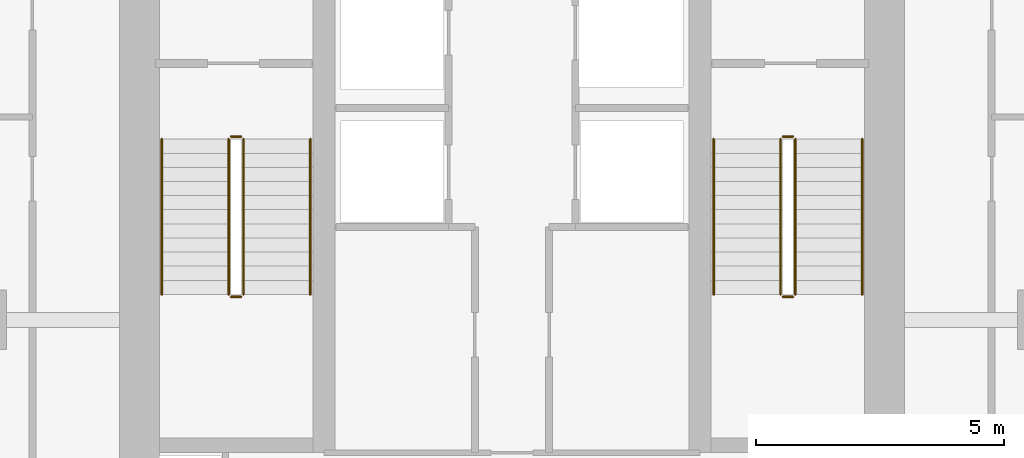
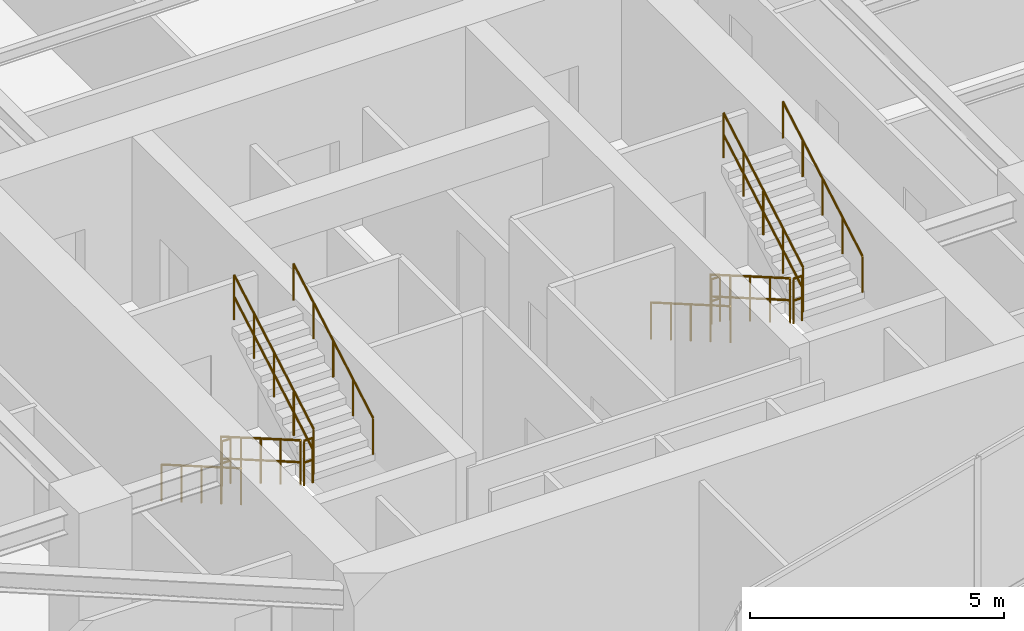
# One storey, part 20 of 21: 12 railings.
"""IFC4 building model written with IfcOpenShell, lengths in metres."""

from ifc_helpers import new_model, si_unit, direction, frame, origin, origin_2d, place, context, subcontext, project, spatial, circle, extrude, material, layer, layer_set, type_object, element, save


model = new_model("IFC4")

# Units and contexts
model_context = context("Model", 3, precision=1e-05, world=origin(), true_north=direction((0.0, 1.0)))
body_context = subcontext(model_context, "Body", "Model", "MODEL_VIEW")
ifc_project = project(units=[si_unit("LENGTHUNIT", "METRE"), si_unit("AREAUNIT", "SQUARE_METRE"), si_unit("VOLUMEUNIT", "CUBIC_METRE"), si_unit("PLANEANGLEUNIT", "RADIAN"), si_unit("MASSUNIT", "GRAM", prefix="KILO")], contexts=[model_context])

# Site, building, storey
site_placement = place(None, origin())
site = spatial("IfcSite", under=ifc_project, at=site_placement, CompositionType="ELEMENT")
building_placement = place(site_placement, origin())
building = spatial("IfcBuilding", under=site, at=building_placement, Name="Krantzveldt Concourse Tower", CompositionType="ELEMENT")
storey_placement = place(building_placement, frame((0.0, 0.0, 347.449951171875)))
storey = spatial("IfcBuildingStorey", under=building, at=storey_placement, Name="L85", CompositionType="ELEMENT", Elevation=347.449951171875)

# Railings
ifc_material = material(Name="Stainless steel 316L", Category="steel")
ifc_layer_1 = layer(ifc_material, 0.06005859375, Name="Stainless steel 316L", Category="steel")
ifc_layer_set_1 = layer_set([ifc_layer_1], Name="Stainless steel 316L (RL-GUARD-1120)")
railing_type_1 = type_object("IfcRailingType", Name="RL-GUARD-1120", PredefinedType="GUARDRAIL", material=ifc_layer_set_1)
railing_1_placement = place(storey_placement, frame((30.280029296875, 19.550048828125, 0.16455078125)))
element("IfcRailing", 1, at=railing_1_placement, inside=storey, type_object=railing_type_1, Name="L85 ST-1 stair guard 1", PredefinedType="GUARDRAIL", context=body_context, shape_type="SweptSolid", body=[
    extrude(circle(Radius=0.02392578125, at=origin_2d()), frame((0.0, 0.0, 1.076171875), z_axis=(0.0, -0.865959834175, 0.500113552702), x_axis=(1.0, 0.0, 0.0)), (0.0, 0.0, 1.0), 3.620361328125),
    extrude(circle(Radius=0.02392578125, at=origin_2d()), frame((0.0, 0.0, 0.550048828125), z_axis=(0.0, -0.865959834175, 0.500113552702), x_axis=(1.0, 0.0, 0.0)), (0.0, 0.0, 1.0), 3.620361328125),
    extrude(circle(Radius=0.02099609375, at=origin_2d()), origin(), (0.0, 0.0, 1.0), 1.052001953125),
    extrude(circle(Radius=0.02099609375, at=origin_2d()), frame((0.0, -0.78369140625, 0.45263671875)), (0.0, 0.0, 1.0), 1.052001953125),
    extrude(circle(Radius=0.02099609375, at=origin_2d()), frame((0.0, -1.5673828125, 0.9052734375)), (0.0, 0.0, 1.0), 1.052001953125),
    extrude(circle(Radius=0.02099609375, at=origin_2d()), frame((0.0, -2.351318359375, 1.35791015625)), (0.0, 0.0, 1.0), 1.052001953125),
    extrude(circle(Radius=0.02099609375, at=origin_2d()), frame((0.0, -3.135009765625, 1.810546875)), (0.0, 0.0, 1.0), 1.052001953125),
])
railing_2_placement = place(storey_placement, frame((30.330078125, 16.364990234375, 1.97509765625)))
element("IfcRailing", 2, at=railing_2_placement, inside=storey, type_object=railing_type_1, Name="L85 ST-1 stair guard 2", PredefinedType="GUARDRAIL", context=body_context, shape_type="SweptSolid", body=[
    extrude(circle(Radius=0.02392578125, at=origin_2d()), frame((0.0, 0.0, 1.076171875), z_axis=(1.0, 0.0, 0.0), x_axis=(0.0, 1.0, 0.0)), (0.0, 0.0, 1.0), 0.199951171875),
    extrude(circle(Radius=0.02392578125, at=origin_2d()), frame((0.0, 0.0, 0.550048828125), z_axis=(1.0, 0.0, 0.0), x_axis=(0.0, 1.0, 0.0)), (0.0, 0.0, 1.0), 0.199951171875),
    extrude(circle(Radius=0.02099609375, at=origin_2d()), origin(), (0.0, 0.0, 1.0), 1.052001953125),
    extrude(circle(Radius=0.02099609375, at=origin_2d()), frame((0.199951171875, 0.0, 0.0)), (0.0, 0.0, 1.0), 1.052001953125),
])
railing_3_placement = place(storey_placement, frame((30.580078125, 16.4150390625, 2.1396484375)))
element("IfcRailing", 3, at=railing_3_placement, inside=storey, type_object=railing_type_1, Name="L85 ST-1 stair guard 3", PredefinedType="GUARDRAIL", context=body_context, shape_type="SweptSolid", body=[
    extrude(circle(Radius=0.02392578125, at=origin_2d()), frame((0.0, 0.0, 1.076171875), z_axis=(0.0, 0.865989039225, 0.500062979975), x_axis=(-1.0, 0.0, 0.0)), (0.0, 0.0, 1.0), 3.6201171875),
    extrude(circle(Radius=0.02392578125, at=origin_2d()), frame((0.0, 0.0, 0.550048828125), z_axis=(0.0, 0.865989039225, 0.500062979975), x_axis=(-1.0, 0.0, 0.0)), (0.0, 0.0, 1.0), 3.6201171875),
    extrude(circle(Radius=0.02099609375, at=origin_2d()), origin(), (0.0, 0.0, 1.0), 1.052001953125),
    extrude(circle(Radius=0.02099609375, at=origin_2d()), frame((0.0, 0.78369140625, 0.45263671875)), (0.0, 0.0, 1.0), 1.052001953125),
    extrude(circle(Radius=0.02099609375, at=origin_2d()), frame((0.0, 1.5673828125, 0.9052734375)), (0.0, 0.0, 1.0), 1.052001953125),
    extrude(circle(Radius=0.02099609375, at=origin_2d()), frame((0.0, 2.351318359375, 1.357666015625)), (0.0, 0.0, 1.0), 1.052001953125),
    extrude(circle(Radius=0.02099609375, at=origin_2d()), frame((0.0, 3.135009765625, 1.810302734375)), (0.0, 0.0, 1.0), 1.052001953125),
])
railing_4_placement = place(storey_placement, frame((30.330078125, 19.60009765625, 0.0)))
element("IfcRailing", 4, at=railing_4_placement, inside=storey, type_object=railing_type_1, Name="L85 ST-1 stair guard 4", PredefinedType="GUARDRAIL", context=body_context, shape_type="SweptSolid", body=[
    extrude(circle(Radius=0.02392578125, at=origin_2d()), frame((0.0, 0.0, 1.076171875), z_axis=(1.0, 0.0, 0.0), x_axis=(0.0, 1.0, 0.0)), (0.0, 0.0, 1.0), 0.199951171875),
    extrude(circle(Radius=0.02392578125, at=origin_2d()), frame((0.0, 0.0, 0.550048828125), z_axis=(1.0, 0.0, 0.0), x_axis=(0.0, 1.0, 0.0)), (0.0, 0.0, 1.0), 0.199951171875),
    extrude(circle(Radius=0.02099609375, at=origin_2d()), origin(), (0.0, 0.0, 1.0), 1.052001953125),
    extrude(circle(Radius=0.02099609375, at=origin_2d()), frame((0.199951171875, 0.0, 0.0)), (0.0, 0.0, 1.0), 1.052001953125),
])
railing_5_placement = place(storey_placement, frame((41.419921875, 19.550048828125, 0.16455078125)))
element("IfcRailing", 5, at=railing_5_placement, inside=storey, type_object=railing_type_1, Name="L85 ST-2 stair guard 1", PredefinedType="GUARDRAIL", context=body_context, shape_type="SweptSolid", body=[
    extrude(circle(Radius=0.02392578125, at=origin_2d()), frame((0.0, 0.0, 1.076171875), z_axis=(0.0, -0.865959834175, 0.500113552702), x_axis=(1.0, 0.0, 0.0)), (0.0, 0.0, 1.0), 3.620361328125),
    extrude(circle(Radius=0.02392578125, at=origin_2d()), frame((0.0, 0.0, 0.550048828125), z_axis=(0.0, -0.865959834175, 0.500113552702), x_axis=(1.0, 0.0, 0.0)), (0.0, 0.0, 1.0), 3.620361328125),
    extrude(circle(Radius=0.02099609375, at=origin_2d()), origin(), (0.0, 0.0, 1.0), 1.052001953125),
    extrude(circle(Radius=0.02099609375, at=origin_2d()), frame((0.0, -0.78369140625, 0.45263671875)), (0.0, 0.0, 1.0), 1.052001953125),
    extrude(circle(Radius=0.02099609375, at=origin_2d()), frame((0.0, -1.5673828125, 0.9052734375)), (0.0, 0.0, 1.0), 1.052001953125),
    extrude(circle(Radius=0.02099609375, at=origin_2d()), frame((0.0, -2.351318359375, 1.35791015625)), (0.0, 0.0, 1.0), 1.052001953125),
    extrude(circle(Radius=0.02099609375, at=origin_2d()), frame((0.0, -3.135009765625, 1.810546875)), (0.0, 0.0, 1.0), 1.052001953125),
])
railing_6_placement = place(storey_placement, frame((41.469970703125, 16.364990234375, 1.97509765625)))
element("IfcRailing", 6, at=railing_6_placement, inside=storey, type_object=railing_type_1, Name="L85 ST-2 stair guard 2", PredefinedType="GUARDRAIL", context=body_context, shape_type="SweptSolid", body=[
    extrude(circle(Radius=0.02392578125, at=origin_2d()), frame((0.0, 0.0, 1.076171875), z_axis=(1.0, 0.0, 0.0), x_axis=(0.0, 1.0, 0.0)), (0.0, 0.0, 1.0), 0.199951171875),
    extrude(circle(Radius=0.02392578125, at=origin_2d()), frame((0.0, 0.0, 0.550048828125), z_axis=(1.0, 0.0, 0.0), x_axis=(0.0, 1.0, 0.0)), (0.0, 0.0, 1.0), 0.199951171875),
    extrude(circle(Radius=0.02099609375, at=origin_2d()), origin(), (0.0, 0.0, 1.0), 1.052001953125),
    extrude(circle(Radius=0.02099609375, at=origin_2d()), frame((0.199951171875, 0.0, 0.0)), (0.0, 0.0, 1.0), 1.052001953125),
])
railing_7_placement = place(storey_placement, frame((41.719970703125, 16.4150390625, 2.1396484375)))
element("IfcRailing", 7, at=railing_7_placement, inside=storey, type_object=railing_type_1, Name="L85 ST-2 stair guard 3", PredefinedType="GUARDRAIL", context=body_context, shape_type="SweptSolid", body=[
    extrude(circle(Radius=0.02392578125, at=origin_2d()), frame((0.0, 0.0, 1.076171875), z_axis=(0.0, 0.865989039225, 0.500062979975), x_axis=(-1.0, 0.0, 0.0)), (0.0, 0.0, 1.0), 3.6201171875),
    extrude(circle(Radius=0.02392578125, at=origin_2d()), frame((0.0, 0.0, 0.550048828125), z_axis=(0.0, 0.865989039225, 0.500062979975), x_axis=(-1.0, 0.0, 0.0)), (0.0, 0.0, 1.0), 3.6201171875),
    extrude(circle(Radius=0.02099609375, at=origin_2d()), origin(), (0.0, 0.0, 1.0), 1.052001953125),
    extrude(circle(Radius=0.02099609375, at=origin_2d()), frame((0.0, 0.78369140625, 0.45263671875)), (0.0, 0.0, 1.0), 1.052001953125),
    extrude(circle(Radius=0.02099609375, at=origin_2d()), frame((0.0, 1.5673828125, 0.9052734375)), (0.0, 0.0, 1.0), 1.052001953125),
    extrude(circle(Radius=0.02099609375, at=origin_2d()), frame((0.0, 2.351318359375, 1.357666015625)), (0.0, 0.0, 1.0), 1.052001953125),
    extrude(circle(Radius=0.02099609375, at=origin_2d()), frame((0.0, 3.135009765625, 1.810302734375)), (0.0, 0.0, 1.0), 1.052001953125),
])
railing_8_placement = place(storey_placement, frame((41.469970703125, 19.60009765625, 0.0)))
element("IfcRailing", 8, at=railing_8_placement, inside=storey, type_object=railing_type_1, Name="L85 ST-2 stair guard 4", PredefinedType="GUARDRAIL", context=body_context, shape_type="SweptSolid", body=[
    extrude(circle(Radius=0.02392578125, at=origin_2d()), frame((0.0, 0.0, 1.076171875), z_axis=(1.0, 0.0, 0.0), x_axis=(0.0, 1.0, 0.0)), (0.0, 0.0, 1.0), 0.199951171875),
    extrude(circle(Radius=0.02392578125, at=origin_2d()), frame((0.0, 0.0, 0.550048828125), z_axis=(1.0, 0.0, 0.0), x_axis=(0.0, 1.0, 0.0)), (0.0, 0.0, 1.0), 0.199951171875),
    extrude(circle(Radius=0.02099609375, at=origin_2d()), origin(), (0.0, 0.0, 1.0), 1.052001953125),
    extrude(circle(Radius=0.02099609375, at=origin_2d()), frame((0.199951171875, 0.0, 0.0)), (0.0, 0.0, 1.0), 1.052001953125),
])
ifc_layer_2 = layer(ifc_material, 0.050048828125, Name="Stainless steel 316L", Category="steel")
ifc_layer_set_2 = layer_set([ifc_layer_2], Name="Stainless steel 316L (RL-HANDRAIL-920)")
railing_type_2 = type_object("IfcRailingType", Name="RL-HANDRAIL-920", PredefinedType="HANDRAIL", material=ifc_layer_set_2)
railing_9_placement = place(storey_placement, frame((28.929931640625, 19.550048828125, 0.16455078125)))
element("IfcRailing", 9, at=railing_9_placement, inside=storey, type_object=railing_type_2, Name="L85 ST-1 stair handrail 1", PredefinedType="HANDRAIL", context=body_context, shape_type="SweptSolid", body=[
    extrude(circle(Radius=0.02392578125, at=origin_2d()), frame((0.0, 0.0, 0.8759765625), z_axis=(0.0, -0.865959834175, 0.500113552702), x_axis=(1.0, 0.0, 0.0)), (0.0, 0.0, 1.0), 3.620361328125),
    extrude(circle(Radius=0.02099609375, at=origin_2d()), origin(), (0.0, 0.0, 1.0), 0.851806640625),
    extrude(circle(Radius=0.02099609375, at=origin_2d()), frame((0.0, -0.78369140625, 0.45263671875)), (0.0, 0.0, 1.0), 0.851806640625),
    extrude(circle(Radius=0.02099609375, at=origin_2d()), frame((0.0, -1.5673828125, 0.9052734375)), (0.0, 0.0, 1.0), 0.851806640625),
    extrude(circle(Radius=0.02099609375, at=origin_2d()), frame((0.0, -2.351318359375, 1.35791015625)), (0.0, 0.0, 1.0), 0.851806640625),
    extrude(circle(Radius=0.02099609375, at=origin_2d()), frame((0.0, -3.135009765625, 1.810546875)), (0.0, 0.0, 1.0), 0.851806640625),
])
railing_10_placement = place(storey_placement, frame((31.929931640625, 16.4150390625, 2.1396484375)))
element("IfcRailing", 10, at=railing_10_placement, inside=storey, type_object=railing_type_2, Name="L85 ST-1 stair handrail 2", PredefinedType="HANDRAIL", context=body_context, shape_type="SweptSolid", body=[
    extrude(circle(Radius=0.02392578125, at=origin_2d()), frame((0.0, 0.0, 0.8759765625), z_axis=(0.0, 0.865989039225, 0.500062979975), x_axis=(-1.0, 0.0, 0.0)), (0.0, 0.0, 1.0), 3.6201171875),
    extrude(circle(Radius=0.02099609375, at=origin_2d()), origin(), (0.0, 0.0, 1.0), 0.851806640625),
    extrude(circle(Radius=0.02099609375, at=origin_2d()), frame((0.0, 0.78369140625, 0.45263671875)), (0.0, 0.0, 1.0), 0.851806640625),
    extrude(circle(Radius=0.02099609375, at=origin_2d()), frame((0.0, 1.5673828125, 0.9052734375)), (0.0, 0.0, 1.0), 0.851806640625),
    extrude(circle(Radius=0.02099609375, at=origin_2d()), frame((0.0, 2.351318359375, 1.357666015625)), (0.0, 0.0, 1.0), 0.851806640625),
    extrude(circle(Radius=0.02099609375, at=origin_2d()), frame((0.0, 3.135009765625, 1.810302734375)), (0.0, 0.0, 1.0), 0.851806640625),
])
railing_11_placement = place(storey_placement, frame((40.070068359375, 19.550048828125, 0.16455078125)))
element("IfcRailing", 11, at=railing_11_placement, inside=storey, type_object=railing_type_2, Name="L85 ST-2 stair handrail 1", PredefinedType="HANDRAIL", context=body_context, shape_type="SweptSolid", body=[
    extrude(circle(Radius=0.02392578125, at=origin_2d()), frame((0.0, 0.0, 0.8759765625), z_axis=(0.0, -0.865959834175, 0.500113552702), x_axis=(1.0, 0.0, 0.0)), (0.0, 0.0, 1.0), 3.620361328125),
    extrude(circle(Radius=0.02099609375, at=origin_2d()), origin(), (0.0, 0.0, 1.0), 0.851806640625),
    extrude(circle(Radius=0.02099609375, at=origin_2d()), frame((0.0, -0.78369140625, 0.45263671875)), (0.0, 0.0, 1.0), 0.851806640625),
    extrude(circle(Radius=0.02099609375, at=origin_2d()), frame((0.0, -1.5673828125, 0.9052734375)), (0.0, 0.0, 1.0), 0.851806640625),
    extrude(circle(Radius=0.02099609375, at=origin_2d()), frame((0.0, -2.351318359375, 1.35791015625)), (0.0, 0.0, 1.0), 0.851806640625),
    extrude(circle(Radius=0.02099609375, at=origin_2d()), frame((0.0, -3.135009765625, 1.810546875)), (0.0, 0.0, 1.0), 0.851806640625),
])
railing_12_placement = place(storey_placement, frame((43.070068359375, 16.4150390625, 2.1396484375)))
element("IfcRailing", 12, at=railing_12_placement, inside=storey, type_object=railing_type_2, Name="L85 ST-2 stair handrail 2", PredefinedType="HANDRAIL", context=body_context, shape_type="SweptSolid", body=[
    extrude(circle(Radius=0.02392578125, at=origin_2d()), frame((0.0, 0.0, 0.8759765625), z_axis=(0.0, 0.865989039225, 0.500062979975), x_axis=(-1.0, 0.0, 0.0)), (0.0, 0.0, 1.0), 3.6201171875),
    extrude(circle(Radius=0.02099609375, at=origin_2d()), origin(), (0.0, 0.0, 1.0), 0.851806640625),
    extrude(circle(Radius=0.02099609375, at=origin_2d()), frame((0.0, 0.78369140625, 0.45263671875)), (0.0, 0.0, 1.0), 0.851806640625),
    extrude(circle(Radius=0.02099609375, at=origin_2d()), frame((0.0, 1.5673828125, 0.9052734375)), (0.0, 0.0, 1.0), 0.851806640625),
    extrude(circle(Radius=0.02099609375, at=origin_2d()), frame((0.0, 2.351318359375, 1.357666015625)), (0.0, 0.0, 1.0), 0.851806640625),
    extrude(circle(Radius=0.02099609375, at=origin_2d()), frame((0.0, 3.135009765625, 1.810302734375)), (0.0, 0.0, 1.0), 0.851806640625),
])

save(model, "model.ifc")
